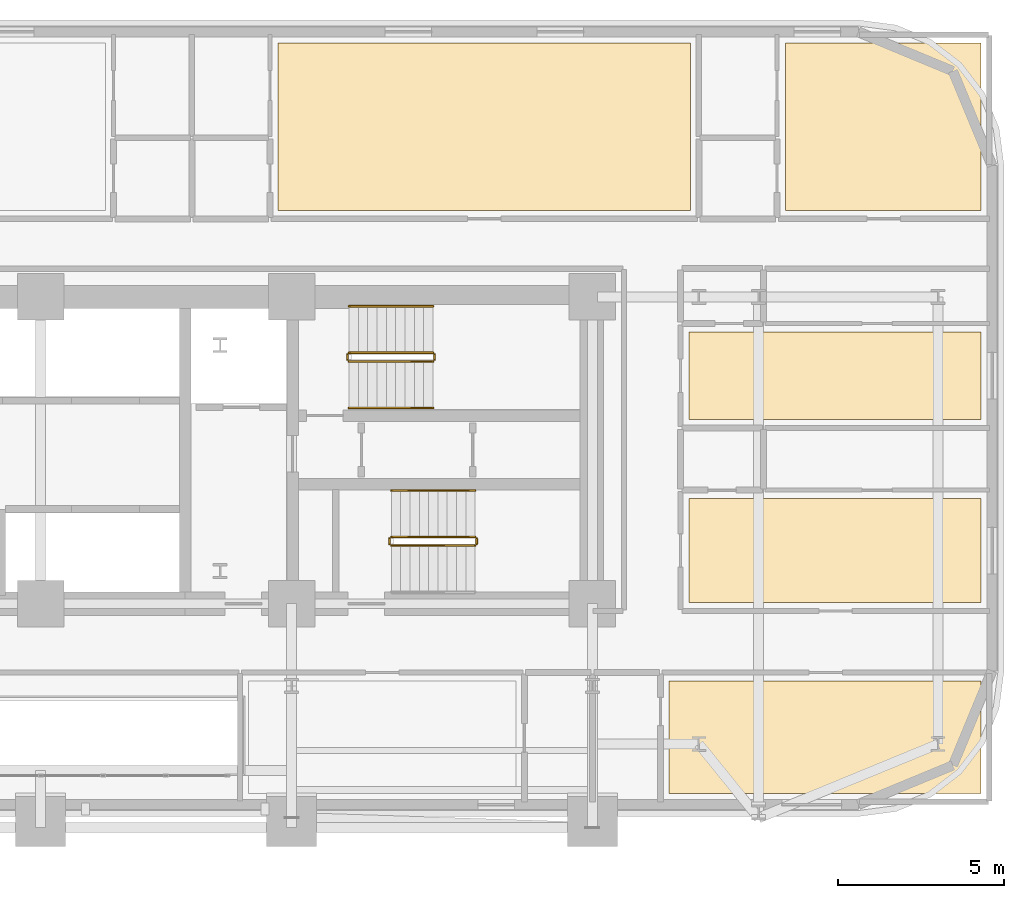
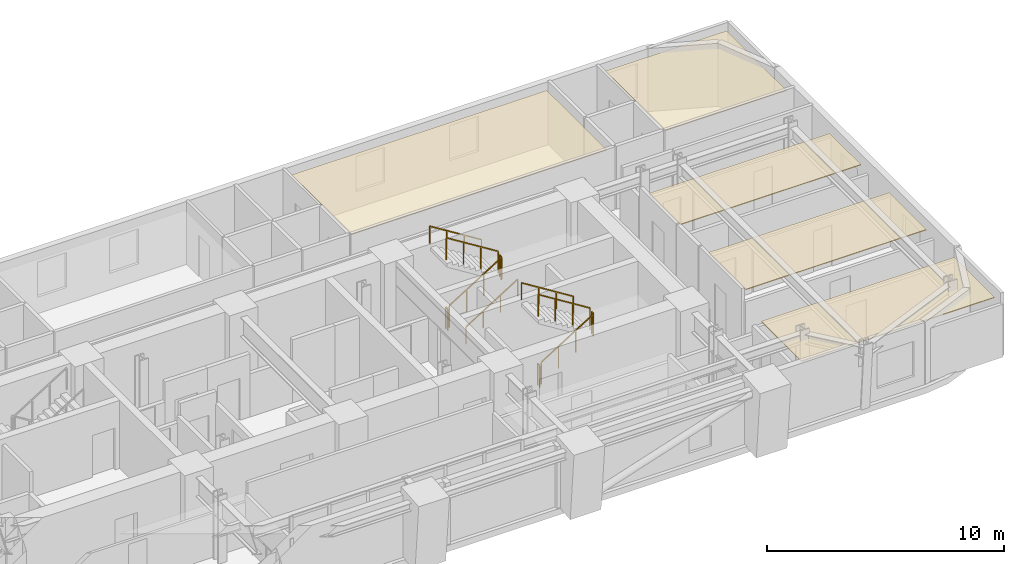
# One storey, part 16 of 16: 11 railings, 5 coverings.
"""IFC4 building model written with IfcOpenShell, lengths in metres."""

from ifc_helpers import new_model, si_unit, direction, frame, origin, origin_2d, place, context, subcontext, project, spatial, polyline, rectangle, outline, extrude, material, layer, layer_set, type_object, element, save


model = new_model("IFC4")

# Units and contexts
model_context = context("Model", 3, precision=1e-05, world=origin(), true_north=direction((0.0, 1.0)))
body_context = subcontext(model_context, "Body", "Model", "MODEL_VIEW")
ifc_project = project(units=[si_unit("LENGTHUNIT", "METRE"), si_unit("AREAUNIT", "SQUARE_METRE"), si_unit("VOLUMEUNIT", "CUBIC_METRE"), si_unit("PLANEANGLEUNIT", "RADIAN"), si_unit("MASSUNIT", "GRAM", prefix="KILO")], contexts=[model_context])

# Site, building, storey
site_placement = place(None, origin())
site = spatial("IfcSite", under=ifc_project, at=site_placement, CompositionType="ELEMENT")
building_placement = place(site_placement, origin())
building = spatial("IfcBuilding", under=site, at=building_placement, Name="Zarnavel Station Tower", CompositionType="ELEMENT")
storey_placement = place(building_placement, frame((0.0, 0.0, 53.5)))
storey = spatial("IfcBuildingStorey", under=building, at=storey_placement, Name="L14", CompositionType="ELEMENT", Elevation=53.5)

# Coverings
ifc_material_1 = material(Name="Perforated Gypsum and Mineral-Wool Acoustic Ceiling", Category="concrete")
ifc_layer = layer(ifc_material_1, 0.0400390625)
ifc_layer_set = layer_set([ifc_layer], Name="COV_CEIL_ACOUSTIC")
covering_type = type_object("IfcCoveringType", Name="COV_CEIL_ACOUSTIC", PredefinedType="CEILING", material=ifc_layer_set)
covering_1_placement = place(storey_placement, frame((0.0, 0.0, 2.919921875)))
element("IfcCovering", 1, at=covering_1_placement, inside=storey, type_object=covering_type, Name="L14 FNE1R Acoustic Ceiling", PredefinedType="CEILING", context=body_context, shape_type="SweptSolid", body=[
    extrude(outline(polyline([(48.300048828125, 27.85009765625), (57.090087890625, 27.85009765625), (57.090087890625, 30.986083984375), (48.300048828125, 30.986083984375), (48.300048828125, 27.85009765625)])), origin(), (0.0, 0.0, 1.0), 0.0400390625),
])
covering_2_placement = place(storey_placement, frame((0.0, 0.0, 2.919921875)))
element("IfcCovering", 2, at=covering_2_placement, inside=storey, type_object=covering_type, Name="L14 FNE2R Acoustic Ceiling", PredefinedType="CEILING", context=body_context, shape_type="SweptSolid", body=[
    extrude(outline(polyline([(48.300048828125, 33.35888671875), (57.090087890625, 33.35888671875), (57.090087890625, 36.0), (48.300048828125, 36.0), (48.300048828125, 33.35888671875)])), origin(), (0.0, 0.0, 1.0), 0.0400390625),
])
covering_3_placement = place(storey_placement, frame((0.0, 0.0, 2.919921875)))
element("IfcCovering", 3, at=covering_3_placement, inside=storey, type_object=covering_type, Name="L14 HN3R Acoustic Ceiling", PredefinedType="CEILING", context=body_context, shape_type="SweptSolid", body=[
    extrude(outline(polyline([(35.947021484375, 39.64990234375), (48.35009765625, 39.64990234375), (48.35009765625, 44.68994140625), (35.947021484375, 44.68994140625), (35.947021484375, 39.64990234375)])), origin(), (0.0, 0.0, 1.0), 0.0400390625),
])
covering_4_placement = place(storey_placement, frame((0.0, 0.0, 2.919921875)))
element("IfcCovering", 4, at=covering_4_placement, inside=storey, type_object=covering_type, Name="L14 HN4R Acoustic Ceiling", PredefinedType="CEILING", context=body_context, shape_type="SweptSolid", body=[
    extrude(outline(polyline([(51.199951171875, 39.64990234375), (57.090087890625, 39.64990234375), (57.090087890625, 44.68994140625), (51.199951171875, 44.68994140625), (51.199951171875, 39.64990234375)])), origin(), (0.0, 0.0, 1.0), 0.0400390625),
])
covering_5_placement = place(storey_placement, frame((0.0, 0.0, 2.919921875)))
element("IfcCovering", 5, at=covering_5_placement, inside=storey, type_object=covering_type, Name="L14 HE2R Acoustic Ceiling", PredefinedType="CEILING", context=body_context, shape_type="SweptSolid", body=[
    extrude(outline(polyline([(47.699951171875, 22.110107421875), (57.090087890625, 22.110107421875), (57.090087890625, 25.5), (47.699951171875, 25.5), (47.699951171875, 22.110107421875)])), origin(), (0.0, 0.0, 1.0), 0.0400390625),
])

# Railings
ifc_material_2 = material(Name="Painted Steel S355J2 Balustrade", Category="steel")
railing_type_1 = type_object("IfcRailingType", Name="GR_INT_1150", PredefinedType="GUARDRAIL", material=ifc_material_2)
railing_1_placement = place(storey_placement, frame((38.080078125, 35.110107421875, 0.175048828125)))
element("IfcRailing", 6, at=railing_1_placement, inside=storey, type_object=railing_type_1, Name="L14 ST2 stair guard 1", PredefinedType="GUARDRAIL", context=body_context, shape_type="SweptSolid", body=[
    extrude(rectangle(XDim=0.048095703125, YDim=0.048095703125, at=origin_2d()), frame((0.001708984375, 0.0, 1.126953125), z_axis=(0.848007534815, 0.0, 0.529984170421), x_axis=(0.0, 1.0, 0.0)), (0.0, 0.0, 1.0), 2.9677734375),
    extrude(rectangle(XDim=0.0419921875, YDim=0.0419921875, at=origin_2d()), origin(), (0.0, 0.0, 1.0), 1.101806640625),
    extrude(rectangle(XDim=0.0419921875, YDim=0.0419921875, at=origin_2d()), frame((0.840087890625, 0.0, 0.52490234375)), (0.0, 0.0, 1.0), 1.101806640625),
    extrude(rectangle(XDim=0.0419921875, YDim=0.0419921875, at=origin_2d()), frame((1.679931640625, 0.0, 1.050048828125)), (0.0, 0.0, 1.0), 1.101806640625),
    extrude(rectangle(XDim=0.0419921875, YDim=0.0419921875, at=origin_2d()), frame((2.52001953125, 0.0, 1.574951171875)), (0.0, 0.0, 1.0), 1.101806640625),
])
railing_2_placement = place(storey_placement, frame((40.64990234375, 35.159912109375, 1.75)))
element("IfcRailing", 7, at=railing_2_placement, inside=storey, type_object=railing_type_1, Name="L14 ST2 stair guard 2", PredefinedType="GUARDRAIL", context=body_context, shape_type="SweptSolid", body=[
    extrude(rectangle(XDim=0.048095703125, YDim=0.048095703125, at=origin_2d()), frame((0.0, 0.001953125, 1.1259765625), z_axis=(0.0, 1.0, 0.0), x_axis=(-1.0, 0.0, 0.0)), (0.0, 0.0, 1.0), 0.15625),
    extrude(rectangle(XDim=0.0419921875, YDim=0.0419921875, at=origin_2d()), origin(), (0.0, 0.0, 1.0), 1.101806640625),
    extrude(rectangle(XDim=0.0419921875, YDim=0.0419921875, at=origin_2d()), frame((0.0, 0.16015625, 0.0)), (0.0, 0.0, 1.0), 1.101806640625),
])
railing_3_placement = place(storey_placement, frame((40.60009765625, 35.3701171875, 1.925048828125)))
element("IfcRailing", 8, at=railing_3_placement, inside=storey, type_object=railing_type_1, Name="L14 ST2 stair guard 3", PredefinedType="GUARDRAIL", context=body_context, shape_type="SweptSolid", body=[
    extrude(rectangle(XDim=0.048095703125, YDim=0.048095703125, at=origin_2d()), frame((-0.001708984375, 0.0, 1.126953125), z_axis=(-0.848007534815, 0.0, 0.529984170421), x_axis=(0.0, -1.0, 0.0)), (0.0, 0.0, 1.0), 2.9677734375),
    extrude(rectangle(XDim=0.0419921875, YDim=0.0419921875, at=origin_2d()), origin(), (0.0, 0.0, 1.0), 1.101806640625),
    extrude(rectangle(XDim=0.0419921875, YDim=0.0419921875, at=origin_2d()), frame((-0.840087890625, 0.0, 0.52490234375)), (0.0, 0.0, 1.0), 1.101806640625),
    extrude(rectangle(XDim=0.0419921875, YDim=0.0419921875, at=origin_2d()), frame((-1.679931640625, 0.0, 1.050048828125)), (0.0, 0.0, 1.0), 1.101806640625),
    extrude(rectangle(XDim=0.0419921875, YDim=0.0419921875, at=origin_2d()), frame((-2.52001953125, 0.0, 1.574951171875)), (0.0, 0.0, 1.0), 1.101806640625),
])
railing_4_placement = place(storey_placement, frame((38.030029296875, 35.159912109375, 0.0)))
element("IfcRailing", 9, at=railing_4_placement, inside=storey, type_object=railing_type_1, Name="L14 ST2 stair guard 4", PredefinedType="GUARDRAIL", context=body_context, shape_type="SweptSolid", body=[
    extrude(rectangle(XDim=0.048095703125, YDim=0.048095703125, at=origin_2d()), frame((0.0, 0.001953125, 1.1259765625), z_axis=(0.0, 1.0, 0.0), x_axis=(-1.0, 0.0, 0.0)), (0.0, 0.0, 1.0), 0.15625),
    extrude(rectangle(XDim=0.0419921875, YDim=0.0419921875, at=origin_2d()), origin(), (0.0, 0.0, 1.0), 1.101806640625),
    extrude(rectangle(XDim=0.0419921875, YDim=0.0419921875, at=origin_2d()), frame((0.0, 0.16015625, 0.0)), (0.0, 0.0, 1.0), 1.101806640625),
])
railing_5_placement = place(storey_placement, frame((39.35009765625, 29.570068359375, 0.175048828125)))
element("IfcRailing", 10, at=railing_5_placement, inside=storey, type_object=railing_type_1, Name="L14 ST3 stair guard 1", PredefinedType="GUARDRAIL", context=body_context, shape_type="SweptSolid", body=[
    extrude(rectangle(XDim=0.048095703125, YDim=0.048095703125, at=origin_2d()), frame((0.001708984375, 0.0, 1.126953125), z_axis=(0.848007534815, 0.0, 0.529984170421), x_axis=(0.0, 1.0, 0.0)), (0.0, 0.0, 1.0), 2.9677734375),
    extrude(rectangle(XDim=0.0419921875, YDim=0.0419921875, at=origin_2d()), origin(), (0.0, 0.0, 1.0), 1.101806640625),
    extrude(rectangle(XDim=0.0419921875, YDim=0.0419921875, at=origin_2d()), frame((0.840087890625, 0.0, 0.52490234375)), (0.0, 0.0, 1.0), 1.101806640625),
    extrude(rectangle(XDim=0.0419921875, YDim=0.0419921875, at=origin_2d()), frame((1.679931640625, 0.0, 1.050048828125)), (0.0, 0.0, 1.0), 1.101806640625),
    extrude(rectangle(XDim=0.0419921875, YDim=0.0419921875, at=origin_2d()), frame((2.52001953125, 0.0, 1.574951171875)), (0.0, 0.0, 1.0), 1.101806640625),
])
railing_6_placement = place(storey_placement, frame((41.919921875, 29.6201171875, 1.75)))
element("IfcRailing", 11, at=railing_6_placement, inside=storey, type_object=railing_type_1, Name="L14 ST3 stair guard 2", PredefinedType="GUARDRAIL", context=body_context, shape_type="SweptSolid", body=[
    extrude(rectangle(XDim=0.048095703125, YDim=0.048095703125, at=origin_2d()), frame((0.0, 0.001953125, 1.1259765625), z_axis=(0.0, 1.0, 0.0), x_axis=(-1.0, 0.0, 0.0)), (0.0, 0.0, 1.0), 0.156005859375),
    extrude(rectangle(XDim=0.0419921875, YDim=0.0419921875, at=origin_2d()), origin(), (0.0, 0.0, 1.0), 1.101806640625),
    extrude(rectangle(XDim=0.0419921875, YDim=0.0419921875, at=origin_2d()), frame((0.0, 0.159912109375, 0.0)), (0.0, 0.0, 1.0), 1.101806640625),
])
railing_7_placement = place(storey_placement, frame((41.8701171875, 29.830078125, 1.925048828125)))
element("IfcRailing", 12, at=railing_7_placement, inside=storey, type_object=railing_type_1, Name="L14 ST3 stair guard 3", PredefinedType="GUARDRAIL", context=body_context, shape_type="SweptSolid", body=[
    extrude(rectangle(XDim=0.048095703125, YDim=0.048095703125, at=origin_2d()), frame((-0.001708984375, 0.0, 1.126953125), z_axis=(-0.848007534815, 0.0, 0.529984170421), x_axis=(0.0, -1.0, 0.0)), (0.0, 0.0, 1.0), 2.9677734375),
    extrude(rectangle(XDim=0.0419921875, YDim=0.0419921875, at=origin_2d()), origin(), (0.0, 0.0, 1.0), 1.101806640625),
    extrude(rectangle(XDim=0.0419921875, YDim=0.0419921875, at=origin_2d()), frame((-0.840087890625, 0.0, 0.52490234375)), (0.0, 0.0, 1.0), 1.101806640625),
    extrude(rectangle(XDim=0.0419921875, YDim=0.0419921875, at=origin_2d()), frame((-1.679931640625, 0.0, 1.050048828125)), (0.0, 0.0, 1.0), 1.101806640625),
    extrude(rectangle(XDim=0.0419921875, YDim=0.0419921875, at=origin_2d()), frame((-2.52001953125, 0.0, 1.574951171875)), (0.0, 0.0, 1.0), 1.101806640625),
])
railing_8_placement = place(storey_placement, frame((39.300048828125, 29.6201171875, 0.0)))
element("IfcRailing", 13, at=railing_8_placement, inside=storey, type_object=railing_type_1, Name="L14 ST3 stair guard 4", PredefinedType="GUARDRAIL", context=body_context, shape_type="SweptSolid", body=[
    extrude(rectangle(XDim=0.048095703125, YDim=0.048095703125, at=origin_2d()), frame((0.0, 0.001953125, 1.1259765625), z_axis=(0.0, 1.0, 0.0), x_axis=(-1.0, 0.0, 0.0)), (0.0, 0.0, 1.0), 0.156005859375),
    extrude(rectangle(XDim=0.0419921875, YDim=0.0419921875, at=origin_2d()), origin(), (0.0, 0.0, 1.0), 1.101806640625),
    extrude(rectangle(XDim=0.0419921875, YDim=0.0419921875, at=origin_2d()), frame((0.0, 0.159912109375, 0.0)), (0.0, 0.0, 1.0), 1.101806640625),
])
ifc_material_3 = material(Name="Brushed Stainless Steel S355J2 Handrail", Category="steel")
railing_type_2 = type_object("IfcRailingType", Name="HR_STAIR_900", PredefinedType="HANDRAIL", material=ifc_material_3)
railing_9_placement = place(storey_placement, frame((38.080078125, 33.7099609375, 0.175048828125)))
element("IfcRailing", 14, at=railing_9_placement, inside=storey, type_object=railing_type_2, Name="L14 ST2 stair handrail 1", PredefinedType="HANDRAIL", context=body_context, shape_type="SweptSolid", body=[
    extrude(rectangle(XDim=0.048095703125, YDim=0.048095703125, at=origin_2d()), frame((0.001708984375, 0.0, 0.876953125), z_axis=(0.848007534815, 0.0, 0.529984170421), x_axis=(0.0, 1.0, 0.0)), (0.0, 0.0, 1.0), 2.9677734375),
    extrude(rectangle(XDim=0.0419921875, YDim=0.0419921875, at=origin_2d()), origin(), (0.0, 0.0, 1.0), 0.851806640625),
    extrude(rectangle(XDim=0.0419921875, YDim=0.0419921875, at=origin_2d()), frame((0.840087890625, 0.0, 0.52490234375)), (0.0, 0.0, 1.0), 0.851806640625),
    extrude(rectangle(XDim=0.0419921875, YDim=0.0419921875, at=origin_2d()), frame((1.679931640625, 0.0, 1.050048828125)), (0.0, 0.0, 1.0), 0.851806640625),
    extrude(rectangle(XDim=0.0419921875, YDim=0.0419921875, at=origin_2d()), frame((2.52001953125, 0.0, 1.574951171875)), (0.0, 0.0, 1.0), 0.851806640625),
])
for number, where, name in (
    (15, (40.60009765625, 36.77001953125, 1.925048828125), "L14 ST2 stair handrail 2"),
    (16, (41.8701171875, 31.22998046875, 1.925048828125), "L14 ST3 stair handrail 2"),
):
    element("IfcRailing", number, at=place(storey_placement, frame(where)), inside=storey, type_object=railing_type_2, Name=name, PredefinedType="HANDRAIL", context=body_context, shape_type="SweptSolid", body=[
        extrude(rectangle(XDim=0.048095703125, YDim=0.048095703125, at=origin_2d()), frame((-0.001708984375, 0.0, 0.876953125), z_axis=(-0.848007534815, 0.0, 0.529984170421), x_axis=(0.0, -1.0, 0.0)), (0.0, 0.0, 1.0), 2.9677734375),
        extrude(rectangle(XDim=0.0419921875, YDim=0.0419921875, at=origin_2d()), origin(), (0.0, 0.0, 1.0), 0.851806640625),
        extrude(rectangle(XDim=0.0419921875, YDim=0.0419921875, at=origin_2d()), frame((-0.840087890625, 0.0, 0.52490234375)), (0.0, 0.0, 1.0), 0.851806640625),
        extrude(rectangle(XDim=0.0419921875, YDim=0.0419921875, at=origin_2d()), frame((-1.679931640625, 0.0, 1.050048828125)), (0.0, 0.0, 1.0), 0.851806640625),
        extrude(rectangle(XDim=0.0419921875, YDim=0.0419921875, at=origin_2d()), frame((-2.52001953125, 0.0, 1.574951171875)), (0.0, 0.0, 1.0), 0.851806640625),
    ])

save(model, "model.ifc")
